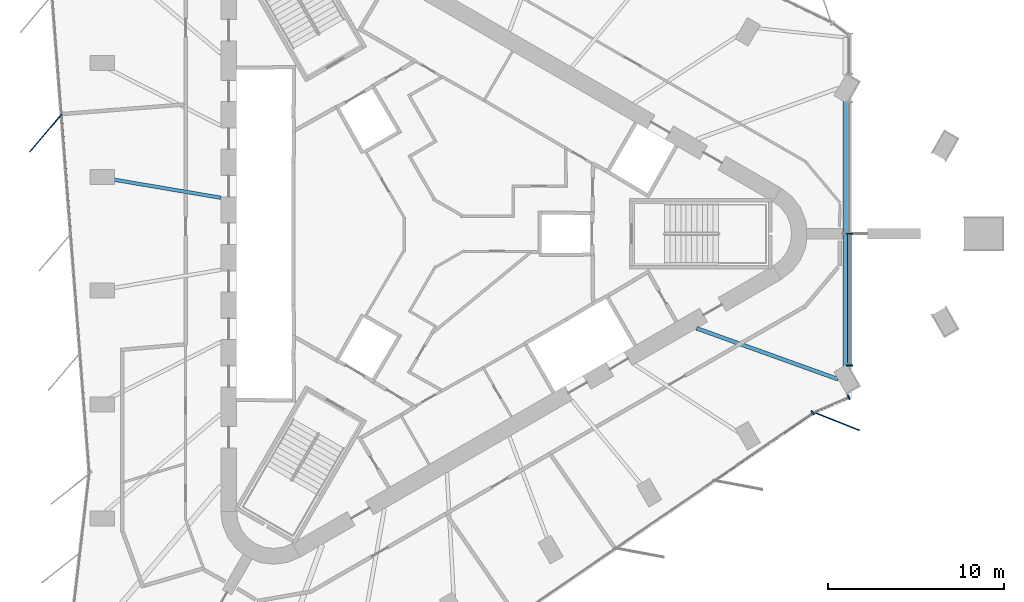
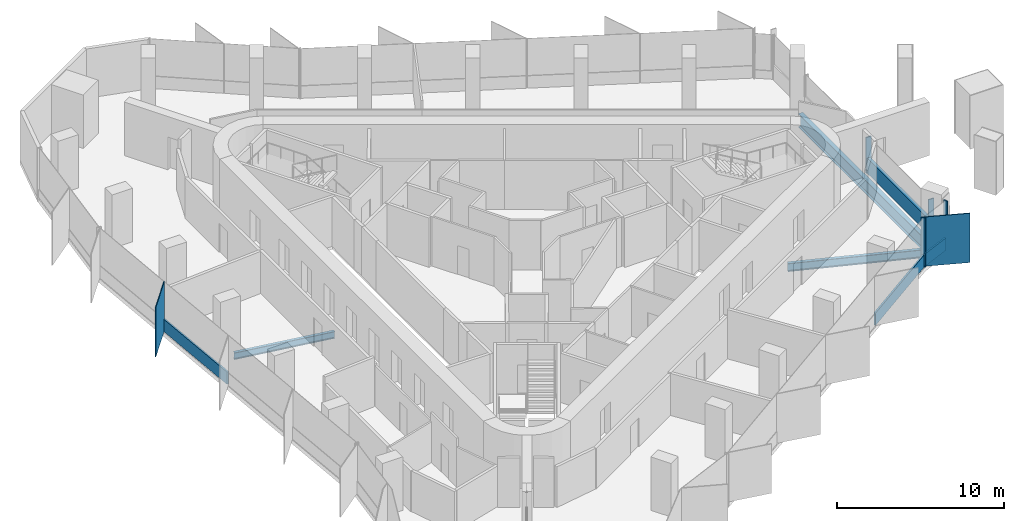
# One storey, part 3 of 12: 10 members, 3 beams, 4 elements without a shape of their own.
"""IFC4 building model written with IfcOpenShell, lengths in metres."""

from ifc_helpers import new_model, si_unit, direction, frame, origin, origin_2d, place, context, subcontext, project, spatial, rectangle, i_section, extrude, material, material_profile, profile_set, type_object, element, aggregate, save


model = new_model("IFC4")

# Units and contexts
model_context = context("Model", 3, precision=1e-05, world=origin(), true_north=direction((0.0, 1.0)))
body_context = subcontext(model_context, "Body", "Model", "MODEL_VIEW")
ifc_project = project(units=[si_unit("LENGTHUNIT", "METRE"), si_unit("AREAUNIT", "SQUARE_METRE"), si_unit("VOLUMEUNIT", "CUBIC_METRE"), si_unit("PLANEANGLEUNIT", "RADIAN"), si_unit("MASSUNIT", "GRAM", prefix="KILO")], contexts=[model_context])

# Site, building, storey
site_placement = place(None, origin())
site = spatial("IfcSite", under=ifc_project, at=site_placement, CompositionType="ELEMENT")
building_placement = place(site_placement, origin())
building = spatial("IfcBuilding", under=site, at=building_placement, Name="Tanit Gate Tower", CompositionType="ELEMENT")
storey_placement = place(building_placement, frame((0.0, 0.0, 380.60009765625)))
storey = spatial("IfcBuildingStorey", under=building, at=storey_placement, Name="L87", CompositionType="ELEMENT", Elevation=380.60009765625)

# Beam
ifc_material_1 = material(Name="Steel S355", Category="steel")
ifc_material_profile_1 = material_profile(ifc_material_1, i_section(OverallWidth=0.300048828125, OverallDepth=0.989990234375, WebThickness=0.0166015625, FlangeThickness=0.031005859375, FilletRadius=0.030029296875, at=origin_2d()), Name="HEA 1000")
ifc_profile_set_1 = profile_set([ifc_material_profile_1], Name="Steel S355")
beam_type_1 = type_object("IfcBeamType", Name="EDGE BEAM HEA 1000 S355", PredefinedType="BEAM", material=ifc_profile_set_1)
beam_1_placement = place(storey_placement, frame((23.3798828125, 7.7734375, -0.795166015625), z_axis=(0.0, -1.0, 0.0), x_axis=(1.0, 0.0, 0.0)))
element("IfcBeam", 1, at=beam_1_placement, inside=storey, type_object=beam_type_1, Name="EDGE BEAM", PredefinedType="BEAM", context=body_context, shape_type="SweptSolid", body=[
    extrude(i_section(OverallWidth=0.300048828125, OverallDepth=0.989990234375, WebThickness=0.0166015625, FlangeThickness=0.031005859375, FilletRadius=0.030029296875, at=origin_2d()), origin(), (0.0, 0.0, 1.0), 15.546875),
])

# Curtain wall, member
ifc_material_2 = material(Name="Aluminium bronze anodised and glass", Category="aluminium")
curtain_wall_type_1 = type_object("IfcCurtainWallType", Name="Curtain wall typical high", PredefinedType="NOTDEFINED", material=ifc_material_2)
curtain_wall_1_placement = place(storey_placement, origin())
curtain_wall_1 = element("IfcCurtainWall", 2, at=curtain_wall_1_placement, inside=storey, type_object=curtain_wall_type_1, Name="Curtain wall L87 W2", PredefinedType="NOTDEFINED")
ifc_material_3 = material(Name="Aluminium bronze anodised", Category="aluminium")
ifc_material_profile_2 = material_profile(ifc_material_3, rectangle(XDim=2.800048828125, YDim=0.055908203125, at=origin_2d()), Name="56x2800 bronze fin mullion")
ifc_profile_set_2 = profile_set([ifc_material_profile_2], Name="Aluminium bronze anodised")
member_type_1 = type_object("IfcMemberType", Name="FIN MULLION 56x2800 bronze", PredefinedType="MULLION", material=ifc_profile_set_2)
member_1_placement = place(storey_placement, frame((-22.038818359375, 5.7158203125, 0.0), z_axis=(0.0, 0.0, 1.0), x_axis=(0.649921223903, 0.760001580735, 0.0)))
member_1 = element("IfcMember", 3, at=member_1_placement, type_object=member_type_1, Name="Fin mullion L87 W2.2", PredefinedType="MULLION", context=body_context, shape_type="SweptSolid", body=[
    extrude(rectangle(XDim=2.800048828125, YDim=0.055908203125, at=origin_2d()), origin(), (0.0, 0.0, 1.0), 3.599853515625),
])

curtain_wall_2_placement = place(storey_placement, origin())
curtain_wall_2 = element("IfcCurtainWall", 4, at=curtain_wall_2_placement, inside=storey, type_object=curtain_wall_type_1, Name="Curtain wall L87 SE3c", PredefinedType="NOTDEFINED")
member_2_placement = place(storey_placement, frame((22.853759765625, -10.6396484375, 0.0), z_axis=(0.0, 0.0, 1.0), x_axis=(-0.929263752337, 0.369416944107, 0.0)))
member_2 = element("IfcMember", 5, at=member_2_placement, type_object=member_type_1, Name="Fin mullion L87 SE3c.1", PredefinedType="MULLION", context=body_context, shape_type="SweptSolid", body=[
    extrude(rectangle(XDim=2.800048828125, YDim=0.055908203125, at=origin_2d()), origin(), (0.0, 0.0, 1.0), 3.599853515625),
])

curtain_wall_3_placement = place(storey_placement, origin())
curtain_wall_3 = element("IfcCurtainWall", 6, at=curtain_wall_3_placement, inside=storey, type_object=curtain_wall_type_1, Name="Curtain wall L87 SE2", PredefinedType="NOTDEFINED")
ifc_material_4 = material(Name="Aluminium bronze anodised", Category="aluminium")
ifc_material_profile_3 = material_profile(ifc_material_4, rectangle(XDim=0.280029296875, YDim=0.080078125, at=origin_2d()), Name="80x280 bronze mullion")
ifc_profile_set_3 = profile_set([ifc_material_profile_3], Name="Aluminium bronze anodised")
member_type_2 = type_object("IfcMemberType", Name="Mullion 80x280 typical high", PredefinedType="MULLION", material=ifc_profile_set_3)
member_3_placement = place(storey_placement, frame((21.50146484375, -10.168212890625, 0.0), z_axis=(0.0, 0.0, 1.0), x_axis=(-0.56589316429, 0.824478578624, 0.0)))
member_3 = element("IfcMember", 7, at=member_3_placement, type_object=member_type_2, Name="Mullion L87 SE2.5", PredefinedType="MULLION", context=body_context, shape_type="SweptSolid", body=[
    extrude(rectangle(XDim=0.280029296875, YDim=0.080078125, at=origin_2d()), origin(), (0.0, 0.0, 1.0), 3.599853515625),
])

# Member
member_4_placement = place(storey_placement, frame((23.543701171875, -9.279541015625, 0.0), z_axis=(0.0, 0.0, 1.0), x_axis=(-0.395871474525, 0.918305927051, 0.0)))
member_4 = element("IfcMember", 8, at=member_4_placement, type_object=member_type_2, Name="Mullion L87 SE3c.2", PredefinedType="MULLION", context=body_context, shape_type="SweptSolid", body=[
    extrude(rectangle(XDim=0.280029296875, YDim=0.080078125, at=origin_2d()), origin(), (0.0, 0.0, 1.0), 3.599853515625),
])

# Curtain wall, members
ifc_material_5 = material(Name="Aluminium bronze anodised and glass", Category="aluminium")
curtain_wall_type_2 = type_object("IfcCurtainWallType", Name="Curtain wall portal glazing", PredefinedType="NOTDEFINED", material=ifc_material_5)
curtain_wall_4_placement = place(storey_placement, origin())
curtain_wall_4 = element("IfcCurtainWall", 9, at=curtain_wall_4_placement, inside=storey, type_object=curtain_wall_type_2, Name="Curtain wall L87 NOTCH2", PredefinedType="NOTDEFINED")
ifc_material_6 = material(Name="Aluminium bronze anodised", Category="aluminium")
ifc_material_profile_4 = material_profile(ifc_material_6, rectangle(XDim=0.360107421875, YDim=0.080078125, at=origin_2d()), Name="80x360 bronze mullion")
ifc_profile_set_4 = profile_set([ifc_material_profile_4], Name="Aluminium bronze anodised")
member_type_3 = type_object("IfcMemberType", Name="Mullion 80x360 portal glazing", PredefinedType="MULLION", material=ifc_profile_set_4)
member_5_placement = place(storey_placement, frame((23.580078125, 0.0, 0.0), z_axis=(0.0, 0.0, 1.0), x_axis=(1.0, 0.0, 0.0)))
member_5 = element("IfcMember", 10, at=member_5_placement, type_object=member_type_3, Name="Mullion L87 NOTCH2.2", PredefinedType="MULLION", context=body_context, shape_type="SweptSolid", body=[
    extrude(rectangle(XDim=0.360107421875, YDim=0.080078125, at=origin_2d()), origin(), (0.0, 0.0, 1.0), 2.60986328125),
])
member_6_placement = place(storey_placement, frame((23.580078125, -7.472412109375, 0.0), z_axis=(0.0, 0.0, 1.0), x_axis=(1.0, 0.0, 0.0)))
member_6 = element("IfcMember", 11, at=member_6_placement, type_object=member_type_3, Name="Mullion L87 NOTCH2.3", PredefinedType="MULLION", context=body_context, shape_type="SweptSolid", body=[
    extrude(rectangle(XDim=0.360107421875, YDim=0.080078125, at=origin_2d()), origin(), (0.0, 0.0, 1.0), 2.60986328125),
])

# Beams
ifc_material_7 = material(Name="Steel S355", Category="steel")
ifc_material_profile_5 = material_profile(ifc_material_7, i_section(OverallWidth=0.199951171875, OverallDepth=0.5, WebThickness=0.01025390625, FlangeThickness=0.01611328125, FilletRadius=0.02099609375, at=origin_2d()), Name="IPE 500")
ifc_profile_set_5 = profile_set([ifc_material_profile_5], Name="Steel S355")
beam_type_2 = type_object("IfcBeamType", Name="RADIAL GIRDER IPE 500 S355", PredefinedType="BEAM", material=ifc_profile_set_5)
beam_2_placement = place(storey_placement, frame((-18.419921875, 3.113525390625, -0.550048828125), z_axis=(0.986014426504, -0.166659985375, 0.0), x_axis=(0.166659985375, 0.986014426504, 0.0)))
element("IfcBeam", 12, at=beam_2_placement, inside=storey, type_object=beam_type_2, Name="RADIAL GIRDER", PredefinedType="BEAM", context=body_context, shape_type="SweptSolid", body=[
    extrude(i_section(OverallWidth=0.199951171875, OverallDepth=0.5, WebThickness=0.01025390625, FlangeThickness=0.01611328125, FilletRadius=0.02099609375, at=origin_2d()), origin(), (0.0, 0.0, 1.0), 6.407470703125),
])
ifc_material_8 = material(Name="Steel S355", Category="steel")
ifc_material_profile_6 = material_profile(ifc_material_8, i_section(OverallWidth=0.219970703125, OverallDepth=0.60009765625, WebThickness=0.011962890625, FlangeThickness=0.01904296875, FilletRadius=0.02392578125, at=origin_2d()), Name="IPE 600")
ifc_profile_set_6 = profile_set([ifc_material_profile_6], Name="Steel S355")
beam_type_3 = type_object("IfcBeamType", Name="RADIAL GIRDER IPE 600 S355", PredefinedType="BEAM", material=ifc_profile_set_6)
beam_3_placement = place(storey_placement, frame((22.935302734375, -8.255615234375, -0.60009765625), z_axis=(-0.940899815791, 0.338685010952, 0.0), x_axis=(-0.338685010952, -0.940899815791, 0.0)))
element("IfcBeam", 13, at=beam_3_placement, inside=storey, type_object=beam_type_3, Name="RADIAL GIRDER", PredefinedType="BEAM", context=body_context, shape_type="SweptSolid", body=[
    extrude(i_section(OverallWidth=0.219970703125, OverallDepth=0.60009765625, WebThickness=0.011962890625, FlangeThickness=0.01904296875, FilletRadius=0.02392578125, at=origin_2d()), origin(), (0.0, 0.0, 1.0), 8.530517578125),
])

# Member
ifc_material_9 = material(Name="Aluminium bronze anodised", Category="aluminium")
ifc_material_profile_7 = material_profile(ifc_material_9, rectangle(XDim=0.1201171875, YDim=0.89990234375, at=origin_2d()), Name="120x900 bronze transom")
ifc_profile_set_7 = profile_set([ifc_material_profile_7], Name="Aluminium bronze anodised")
member_type_4 = type_object("IfcMemberType", Name="Transom 120x900 typical high", PredefinedType="USERDEFINED", material=ifc_profile_set_7)
member_7_placement = place(storey_placement, frame((-21.138671875, 6.72509765625, 0.449951171875), z_axis=(0.077851491829, -0.996964966897, 0.0), x_axis=(0.996964966897, 0.077851491829, 0.0)))
member_7 = element("IfcMember", 14, at=member_7_placement, type_object=member_type_4, Name="Transom L87 W2.2", ObjectType="TRANSOM", PredefinedType="USERDEFINED", context=body_context, shape_type="SweptSolid", body=[
    extrude(rectangle(XDim=0.1201171875, YDim=0.89990234375, at=origin_2d()), origin(), (0.0, 0.0, 1.0), 6.707763671875),
])

aggregate(curtain_wall_1, [member_1, member_7])

member_8_placement = place(storey_placement, frame((15.93798828125, -13.98681640625, 0.449951171875), z_axis=(0.824482387079, 0.565887615517, 0.0), x_axis=(-0.565887615517, 0.824482387079, 0.0)))
member_8 = element("IfcMember", 15, at=member_8_placement, type_object=member_type_4, Name="Transom L87 SE2.4", ObjectType="TRANSOM", PredefinedType="USERDEFINED", context=body_context, shape_type="SweptSolid", body=[
    extrude(rectangle(XDim=0.1201171875, YDim=0.89990234375, at=origin_2d()), origin(), (0.0, 0.0, 1.0), 6.707763671875),
])

aggregate(curtain_wall_3, [member_3, member_8])

member_9_placement = place(storey_placement, frame((21.60791015625, -10.114013671875, 0.449951171875), z_axis=(0.918324826223, 0.3958276311, 0.0), x_axis=(-0.3958276311, 0.918324826223, 0.0)))
member_9 = element("IfcMember", 16, at=member_9_placement, type_object=member_type_4, Name="Transom L87 SE3c.1", ObjectType="TRANSOM", PredefinedType="USERDEFINED", context=body_context, shape_type="SweptSolid", body=[
    extrude(rectangle(XDim=0.1201171875, YDim=0.89990234375, at=origin_2d()), origin(), (0.0, 0.0, 1.0), 2.068115234375),
])

aggregate(curtain_wall_2, [member_2, member_4, member_9])

ifc_material_10 = material(Name="Aluminium bronze anodised", Category="aluminium")
ifc_material_profile_8 = material_profile(ifc_material_10, rectangle(XDim=0.219970703125, YDim=1.10009765625, at=origin_2d()), Name="220x1100 bronze transom")
ifc_profile_set_8 = profile_set([ifc_material_profile_8], Name="Aluminium bronze anodised")
member_type_5 = type_object("IfcMemberType", Name="Transom 220x1100 portal glazing", PredefinedType="USERDEFINED", material=ifc_profile_set_8)
member_10_placement = place(storey_placement, frame((23.580078125, -0.0400390625, 0.5498046875), z_axis=(0.0, -1.0, 0.0), x_axis=(1.0, 0.0, 0.0)))
member_10 = element("IfcMember", 17, at=member_10_placement, type_object=member_type_5, Name="Transom L87 NOTCH2.2", ObjectType="TRANSOM", PredefinedType="USERDEFINED", context=body_context, shape_type="SweptSolid", body=[
    extrude(rectangle(XDim=0.219970703125, YDim=1.10009765625, at=origin_2d()), origin(), (0.0, 0.0, 1.0), 7.392333984375),
])

aggregate(curtain_wall_4, [member_5, member_6, member_10])

save(model, "model.ifc")
